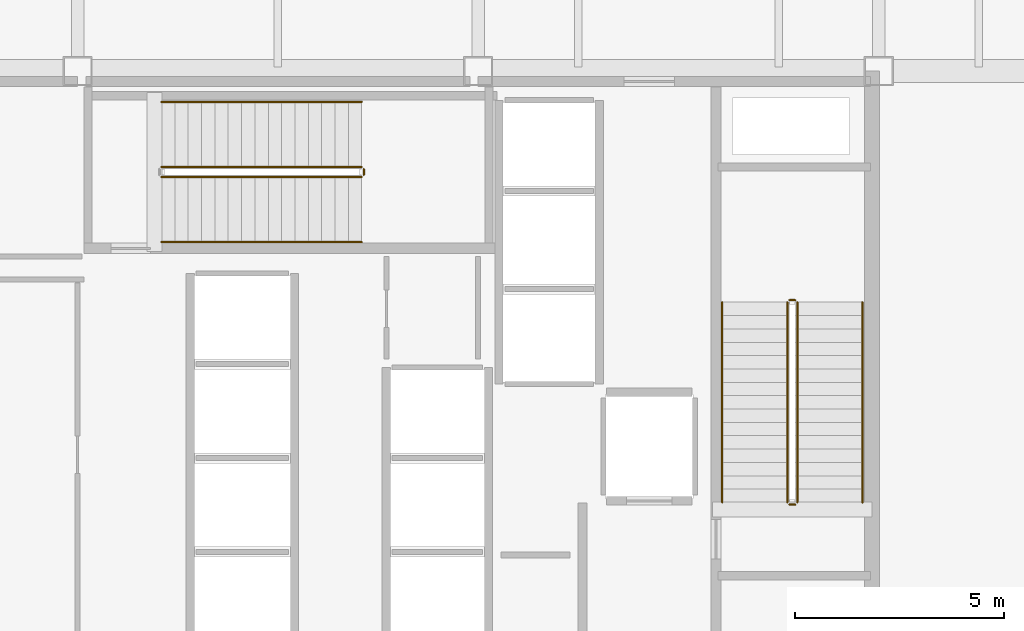
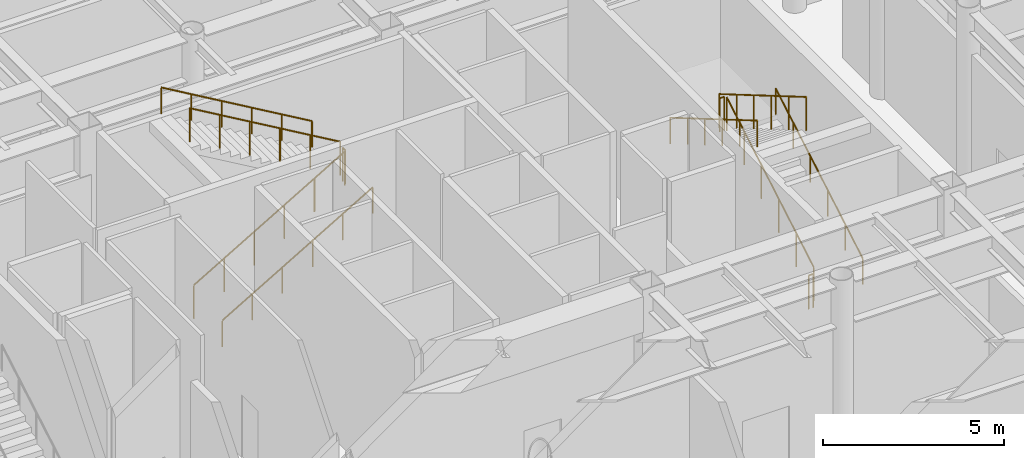
# One storey, part 19 of 20: 11 railings.
"""IFC4 building model written with IfcOpenShell, lengths in metres."""

from ifc_helpers import new_model, si_unit, direction, frame, origin, origin_2d, place, context, subcontext, project, spatial, circle, extrude, material, layer, layer_set, type_object, element, save


model = new_model("IFC4")

# Units and contexts
model_context = context("Model", 3, precision=1e-05, world=origin(), true_north=direction((0.0, 1.0)))
body_context = subcontext(model_context, "Body", "Model", "MODEL_VIEW")
ifc_project = project(units=[si_unit("LENGTHUNIT", "METRE"), si_unit("AREAUNIT", "SQUARE_METRE"), si_unit("VOLUMEUNIT", "CUBIC_METRE"), si_unit("PLANEANGLEUNIT", "RADIAN"), si_unit("MASSUNIT", "GRAM", prefix="KILO")], contexts=[model_context])

# Site, building, storey
site_placement = place(None, origin())
site = spatial("IfcSite", under=ifc_project, at=site_placement, CompositionType="ELEMENT")
building_placement = place(site_placement, origin())
building = spatial("IfcBuilding", under=site, at=building_placement, Name="Kallvorn Hotel Tower", CompositionType="ELEMENT")
storey_placement = place(building_placement, frame((0.0, 0.0, 185.5)))
storey = spatial("IfcBuildingStorey", under=building, at=storey_placement, Name="L46", CompositionType="ELEMENT", Elevation=185.5)

# Railings
ifc_material_1 = material(Name="Brushed stainless-steel tubular railing", Category="steel")
ifc_layer_1 = layer(ifc_material_1, 0.050048828125)
ifc_layer_set_1 = layer_set([ifc_layer_1], Name="RL_STAIR_GUARD")
railing_type_1 = type_object("IfcRailingType", Name="RL_STAIR_GUARD", PredefinedType="GUARDRAIL", material=ifc_layer_set_1)
railing_1_placement = place(storey_placement, frame((12.449951171875, -3.139892578125, 0.1875)))
element("IfcRailing", 1, at=railing_1_placement, inside=storey, type_object=railing_type_1, Name="L46 ST2 stair guard 1", PredefinedType="GUARDRAIL", context=body_context, shape_type="SweptSolid", body=[
    extrude(circle(Radius=0.02392578125, at=origin_2d()), frame((0.0, 0.0, 1.1259765625), z_axis=(0.0, 0.862790387251, 0.505561813893), x_axis=(-1.0, 0.0, 0.0)), (0.0, 0.0, 1.0), 5.563232421875),
    extrude(circle(Radius=0.02099609375, at=origin_2d()), origin(), (0.0, 0.0, 1.0), 1.101806640625),
    extrude(circle(Radius=0.02099609375, at=origin_2d()), frame((0.0, 0.9599609375, 0.5625)), (0.0, 0.0, 1.0), 1.101806640625),
    extrude(circle(Radius=0.02099609375, at=origin_2d()), frame((0.0, 1.919921875, 1.125)), (0.0, 0.0, 1.0), 1.101806640625),
    extrude(circle(Radius=0.02099609375, at=origin_2d()), frame((0.0, 2.8798828125, 1.6875)), (0.0, 0.0, 1.0), 1.101806640625),
    extrude(circle(Radius=0.02099609375, at=origin_2d()), frame((0.0, 3.83984375, 2.25)), (0.0, 0.0, 1.0), 1.101806640625),
    extrude(circle(Radius=0.02099609375, at=origin_2d()), frame((0.0, 4.7998046875, 2.8125)), (0.0, 0.0, 1.0), 1.101806640625),
])
railing_2_placement = place(storey_placement, frame((12.39990234375, 1.7099609375, 3.0)))
element("IfcRailing", 2, at=railing_2_placement, inside=storey, type_object=railing_type_1, Name="L46 ST2 stair guard 2", PredefinedType="GUARDRAIL", context=body_context, shape_type="SweptSolid", body=[
    extrude(circle(Radius=0.02392578125, at=origin_2d()), frame((0.0, 0.0, 1.1259765625), z_axis=(-1.0, 0.0, 0.0), x_axis=(0.0, -1.0, 0.0)), (0.0, 0.0, 1.0), 0.139892578125),
    extrude(circle(Radius=0.02099609375, at=origin_2d()), origin(), (0.0, 0.0, 1.0), 1.101806640625),
    extrude(circle(Radius=0.02099609375, at=origin_2d()), frame((-0.139892578125, 0.0, 0.0)), (0.0, 0.0, 1.0), 1.101806640625),
])
railing_3_placement = place(storey_placement, frame((12.2099609375, 1.659912109375, 3.1875)))
element("IfcRailing", 3, at=railing_3_placement, inside=storey, type_object=railing_type_1, Name="L46 ST2 stair guard 3", PredefinedType="GUARDRAIL", context=body_context, shape_type="SweptSolid", body=[
    extrude(circle(Radius=0.02392578125, at=origin_2d()), frame((0.0, 0.0, 1.1259765625), z_axis=(0.0, -0.862790387251, 0.505561813893), x_axis=(1.0, 0.0, 0.0)), (0.0, 0.0, 1.0), 5.563232421875),
    extrude(circle(Radius=0.02099609375, at=origin_2d()), origin(), (0.0, 0.0, 1.0), 1.101806640625),
    extrude(circle(Radius=0.02099609375, at=origin_2d()), frame((0.0, -0.9599609375, 0.5625)), (0.0, 0.0, 1.0), 1.101806640625),
    extrude(circle(Radius=0.02099609375, at=origin_2d()), frame((0.0, -1.919921875, 1.125)), (0.0, 0.0, 1.0), 1.101806640625),
    extrude(circle(Radius=0.02099609375, at=origin_2d()), frame((0.0, -2.8798828125, 1.6875)), (0.0, 0.0, 1.0), 1.101806640625),
    extrude(circle(Radius=0.02099609375, at=origin_2d()), frame((0.0, -3.83984375, 2.25)), (0.0, 0.0, 1.0), 1.101806640625),
    extrude(circle(Radius=0.02099609375, at=origin_2d()), frame((0.0, -4.7998046875, 2.8125)), (0.0, 0.0, 1.0), 1.101806640625),
])
railing_4_placement = place(storey_placement, frame((12.39990234375, -3.18994140625, 0.0)))
element("IfcRailing", 4, at=railing_4_placement, inside=storey, type_object=railing_type_1, Name="L46 ST2 stair guard 4", PredefinedType="GUARDRAIL", context=body_context, shape_type="SweptSolid", body=[
    extrude(circle(Radius=0.02392578125, at=origin_2d()), frame((0.0, 0.0, 1.1259765625), z_axis=(-1.0, 0.0, 0.0), x_axis=(0.0, -1.0, 0.0)), (0.0, 0.0, 1.0), 0.139892578125),
    extrude(circle(Radius=0.02099609375, at=origin_2d()), origin(), (0.0, 0.0, 1.0), 1.101806640625),
    extrude(circle(Radius=0.02099609375, at=origin_2d()), frame((-0.139892578125, 0.0, 0.0)), (0.0, 0.0, 1.0), 1.101806640625),
])
railing_5_placement = place(storey_placement, frame((-2.7900390625, 4.659912109375, 0.1875)))
element("IfcRailing", 5, at=railing_5_placement, inside=storey, type_object=railing_type_1, Name="L46 ST3 stair guard 1", PredefinedType="GUARDRAIL", context=body_context, shape_type="SweptSolid", body=[
    extrude(circle(Radius=0.02392578125, at=origin_2d()), frame((0.0, 0.0, 1.1259765625), z_axis=(0.862801603449, 0.0, 0.505542671875), x_axis=(0.0, 1.0, 0.0)), (0.0, 0.0, 1.0), 5.563232421875),
    extrude(circle(Radius=0.02099609375, at=origin_2d()), origin(), (0.0, 0.0, 1.0), 1.101806640625),
    extrude(circle(Radius=0.02099609375, at=origin_2d()), frame((0.9599609375, 0.0, 0.5625)), (0.0, 0.0, 1.0), 1.101806640625),
    extrude(circle(Radius=0.02099609375, at=origin_2d()), frame((1.919921875, 0.0, 1.125)), (0.0, 0.0, 1.0), 1.101806640625),
    extrude(circle(Radius=0.02099609375, at=origin_2d()), frame((2.880126953125, 0.0, 1.6875)), (0.0, 0.0, 1.0), 1.101806640625),
    extrude(circle(Radius=0.02099609375, at=origin_2d()), frame((3.840087890625, 0.0, 2.25)), (0.0, 0.0, 1.0), 1.101806640625),
    extrude(circle(Radius=0.02099609375, at=origin_2d()), frame((4.800048828125, 0.0, 2.8125)), (0.0, 0.0, 1.0), 1.101806640625),
])
railing_6_placement = place(storey_placement, frame((2.06005859375, 4.7099609375, 3.0)))
element("IfcRailing", 6, at=railing_6_placement, inside=storey, type_object=railing_type_1, Name="L46 ST3 stair guard 2", PredefinedType="GUARDRAIL", context=body_context, shape_type="SweptSolid", body=[
    extrude(circle(Radius=0.02392578125, at=origin_2d()), frame((0.0, 0.0, 1.1259765625), z_axis=(0.0, 1.0, 0.0), x_axis=(-1.0, 0.0, 0.0)), (0.0, 0.0, 1.0), 0.14013671875),
    extrude(circle(Radius=0.02099609375, at=origin_2d()), origin(), (0.0, 0.0, 1.0), 1.101806640625),
    extrude(circle(Radius=0.02099609375, at=origin_2d()), frame((0.0, 0.14013671875, 0.0)), (0.0, 0.0, 1.0), 1.101806640625),
])
railing_7_placement = place(storey_placement, frame((2.010009765625, 4.89990234375, 3.1875)))
element("IfcRailing", 7, at=railing_7_placement, inside=storey, type_object=railing_type_1, Name="L46 ST3 stair guard 3", PredefinedType="GUARDRAIL", context=body_context, shape_type="SweptSolid", body=[
    extrude(circle(Radius=0.02392578125, at=origin_2d()), frame((0.0, 0.0, 1.1259765625), z_axis=(-0.862801603449, 0.0, 0.505542671875), x_axis=(0.0, -1.0, 0.0)), (0.0, 0.0, 1.0), 5.563232421875),
    extrude(circle(Radius=0.02099609375, at=origin_2d()), origin(), (0.0, 0.0, 1.0), 1.101806640625),
    extrude(circle(Radius=0.02099609375, at=origin_2d()), frame((-0.9599609375, 0.0, 0.5625)), (0.0, 0.0, 1.0), 1.101806640625),
    extrude(circle(Radius=0.02099609375, at=origin_2d()), frame((-1.919921875, 0.0, 1.125)), (0.0, 0.0, 1.0), 1.101806640625),
    extrude(circle(Radius=0.02099609375, at=origin_2d()), frame((-2.880126953125, 0.0, 1.6875)), (0.0, 0.0, 1.0), 1.101806640625),
    extrude(circle(Radius=0.02099609375, at=origin_2d()), frame((-3.840087890625, 0.0, 2.25)), (0.0, 0.0, 1.0), 1.101806640625),
    extrude(circle(Radius=0.02099609375, at=origin_2d()), frame((-4.800048828125, 0.0, 2.8125)), (0.0, 0.0, 1.0), 1.101806640625),
])
ifc_material_2 = material(Name="Brushed stainless-steel tubular railing", Category="steel")
ifc_layer_2 = layer(ifc_material_2, 0.050048828125)
ifc_layer_set_2 = layer_set([ifc_layer_2], Name="RL_STAIR_HAND")
railing_type_2 = type_object("IfcRailingType", Name="RL_STAIR_HAND", PredefinedType="HANDRAIL", material=ifc_layer_set_2)
railing_8_placement = place(storey_placement, frame((14.010009765625, -3.139892578125, 0.1875)))
element("IfcRailing", 8, at=railing_8_placement, inside=storey, type_object=railing_type_2, Name="L46 ST2 stair handrail 1", PredefinedType="HANDRAIL", context=body_context, shape_type="SweptSolid", body=[
    extrude(circle(Radius=0.02392578125, at=origin_2d()), frame((0.0, 0.0, 0.8759765625), z_axis=(0.0, 0.862790387251, 0.505561813893), x_axis=(-1.0, 0.0, 0.0)), (0.0, 0.0, 1.0), 5.563232421875),
    extrude(circle(Radius=0.02099609375, at=origin_2d()), origin(), (0.0, 0.0, 1.0), 0.851806640625),
    extrude(circle(Radius=0.02099609375, at=origin_2d()), frame((0.0, 0.9599609375, 0.5625)), (0.0, 0.0, 1.0), 0.851806640625),
    extrude(circle(Radius=0.02099609375, at=origin_2d()), frame((0.0, 1.919921875, 1.125)), (0.0, 0.0, 1.0), 0.851806640625),
    extrude(circle(Radius=0.02099609375, at=origin_2d()), frame((0.0, 2.8798828125, 1.6875)), (0.0, 0.0, 1.0), 0.851806640625),
    extrude(circle(Radius=0.02099609375, at=origin_2d()), frame((0.0, 3.83984375, 2.25)), (0.0, 0.0, 1.0), 0.851806640625),
    extrude(circle(Radius=0.02099609375, at=origin_2d()), frame((0.0, 4.7998046875, 2.8125)), (0.0, 0.0, 1.0), 0.851806640625),
])
railing_9_placement = place(storey_placement, frame((10.64990234375, 1.659912109375, 3.1875)))
element("IfcRailing", 9, at=railing_9_placement, inside=storey, type_object=railing_type_2, Name="L46 ST2 stair handrail 2", PredefinedType="HANDRAIL", context=body_context, shape_type="SweptSolid", body=[
    extrude(circle(Radius=0.02392578125, at=origin_2d()), frame((0.0, 0.0, 0.8759765625), z_axis=(0.0, -0.862790387251, 0.505561813893), x_axis=(1.0, 0.0, 0.0)), (0.0, 0.0, 1.0), 5.563232421875),
    extrude(circle(Radius=0.02099609375, at=origin_2d()), origin(), (0.0, 0.0, 1.0), 0.851806640625),
    extrude(circle(Radius=0.02099609375, at=origin_2d()), frame((0.0, -0.9599609375, 0.5625)), (0.0, 0.0, 1.0), 0.851806640625),
    extrude(circle(Radius=0.02099609375, at=origin_2d()), frame((0.0, -1.919921875, 1.125)), (0.0, 0.0, 1.0), 0.851806640625),
    extrude(circle(Radius=0.02099609375, at=origin_2d()), frame((0.0, -2.8798828125, 1.6875)), (0.0, 0.0, 1.0), 0.851806640625),
    extrude(circle(Radius=0.02099609375, at=origin_2d()), frame((0.0, -3.83984375, 2.25)), (0.0, 0.0, 1.0), 0.851806640625),
    extrude(circle(Radius=0.02099609375, at=origin_2d()), frame((0.0, -4.7998046875, 2.8125)), (0.0, 0.0, 1.0), 0.851806640625),
])
railing_10_placement = place(storey_placement, frame((-2.7900390625, 3.10009765625, 0.1875)))
element("IfcRailing", 10, at=railing_10_placement, inside=storey, type_object=railing_type_2, Name="L46 ST3 stair handrail 1", PredefinedType="HANDRAIL", context=body_context, shape_type="SweptSolid", body=[
    extrude(circle(Radius=0.02392578125, at=origin_2d()), frame((0.0, 0.0, 0.8759765625), z_axis=(0.862801603449, 0.0, 0.505542671875), x_axis=(0.0, 1.0, 0.0)), (0.0, 0.0, 1.0), 5.563232421875),
    extrude(circle(Radius=0.02099609375, at=origin_2d()), origin(), (0.0, 0.0, 1.0), 0.851806640625),
    extrude(circle(Radius=0.02099609375, at=origin_2d()), frame((0.9599609375, 0.0, 0.5625)), (0.0, 0.0, 1.0), 0.851806640625),
    extrude(circle(Radius=0.02099609375, at=origin_2d()), frame((1.919921875, 0.0, 1.125)), (0.0, 0.0, 1.0), 0.851806640625),
    extrude(circle(Radius=0.02099609375, at=origin_2d()), frame((2.880126953125, 0.0, 1.6875)), (0.0, 0.0, 1.0), 0.851806640625),
    extrude(circle(Radius=0.02099609375, at=origin_2d()), frame((3.840087890625, 0.0, 2.25)), (0.0, 0.0, 1.0), 0.851806640625),
    extrude(circle(Radius=0.02099609375, at=origin_2d()), frame((4.800048828125, 0.0, 2.8125)), (0.0, 0.0, 1.0), 0.851806640625),
])
railing_11_placement = place(storey_placement, frame((2.010009765625, 6.4599609375, 3.1875)))
element("IfcRailing", 11, at=railing_11_placement, inside=storey, type_object=railing_type_2, Name="L46 ST3 stair handrail 2", PredefinedType="HANDRAIL", context=body_context, shape_type="SweptSolid", body=[
    extrude(circle(Radius=0.02392578125, at=origin_2d()), frame((0.0, 0.0, 0.8759765625), z_axis=(-0.862801603449, 0.0, 0.505542671875), x_axis=(0.0, -1.0, 0.0)), (0.0, 0.0, 1.0), 5.563232421875),
    extrude(circle(Radius=0.02099609375, at=origin_2d()), origin(), (0.0, 0.0, 1.0), 0.851806640625),
    extrude(circle(Radius=0.02099609375, at=origin_2d()), frame((-0.9599609375, 0.0, 0.5625)), (0.0, 0.0, 1.0), 0.851806640625),
    extrude(circle(Radius=0.02099609375, at=origin_2d()), frame((-1.919921875, 0.0, 1.125)), (0.0, 0.0, 1.0), 0.851806640625),
    extrude(circle(Radius=0.02099609375, at=origin_2d()), frame((-2.880126953125, 0.0, 1.6875)), (0.0, 0.0, 1.0), 0.851806640625),
    extrude(circle(Radius=0.02099609375, at=origin_2d()), frame((-3.840087890625, 0.0, 2.25)), (0.0, 0.0, 1.0), 0.851806640625),
    extrude(circle(Radius=0.02099609375, at=origin_2d()), frame((-4.800048828125, 0.0, 2.8125)), (0.0, 0.0, 1.0), 0.851806640625),
])

save(model, "model.ifc")
